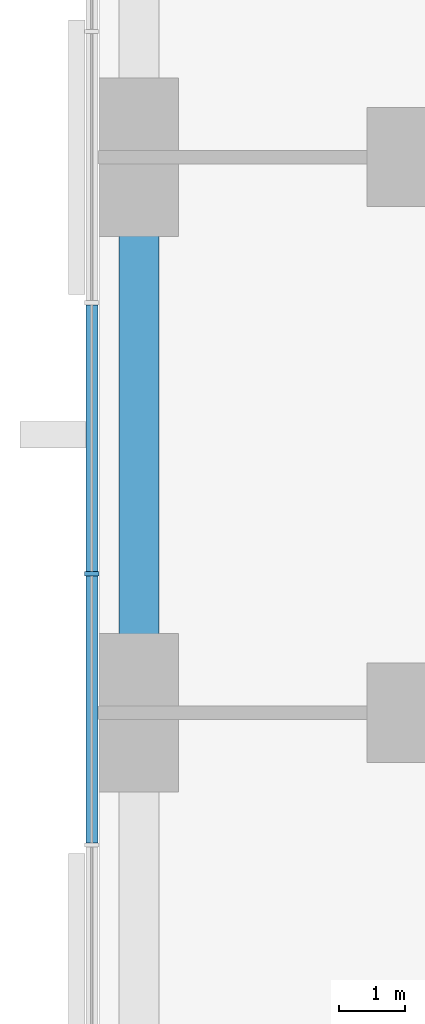
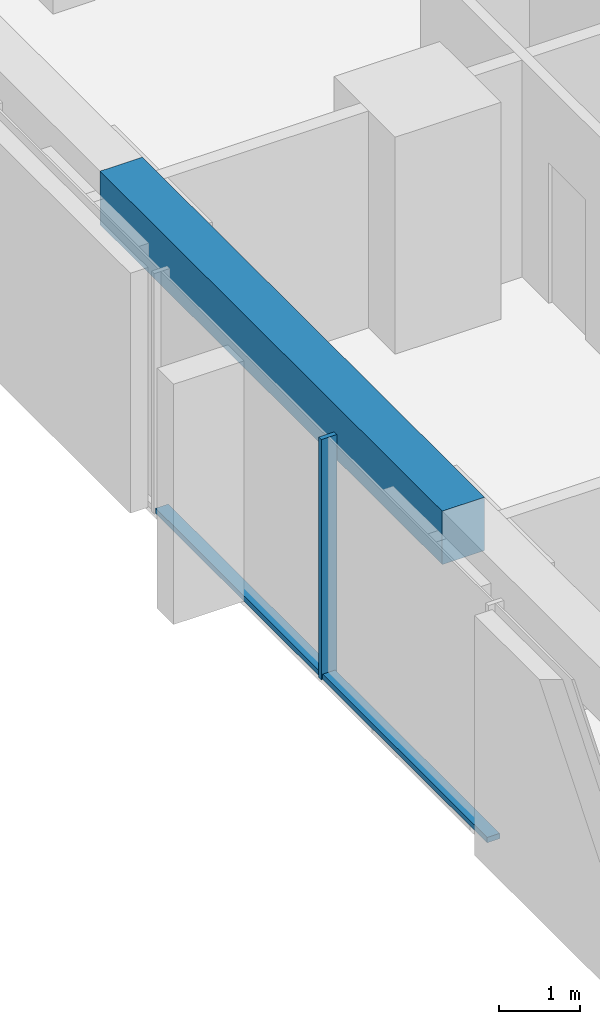
# One storey, part 3 of 14: 3 members, 1 beam, 1 element without a shape of its own.
"""IFC4 building model written with IfcOpenShell, lengths in metres."""

from ifc_helpers import new_model, si_unit, direction, frame, origin, origin_2d, place, context, subcontext, project, spatial, rectangle, extrude, material, material_profile, profile_set, type_object, element, aggregate, save


model = new_model("IFC4")

# Units and contexts
model_context = context("Model", 3, precision=1e-05, world=origin(), true_north=direction((0.0, 1.0)))
body_context = subcontext(model_context, "Body", "Model", "MODEL_VIEW")
ifc_project = project(units=[si_unit("LENGTHUNIT", "METRE"), si_unit("AREAUNIT", "SQUARE_METRE"), si_unit("VOLUMEUNIT", "CUBIC_METRE"), si_unit("PLANEANGLEUNIT", "RADIAN"), si_unit("MASSUNIT", "GRAM", prefix="KILO")], contexts=[model_context])

# Site, building, storey
site_placement = place(None, origin())
site = spatial("IfcSite", under=ifc_project, at=site_placement, CompositionType="ELEMENT")
building_placement = place(site_placement, origin())
building = spatial("IfcBuilding", under=site, at=building_placement, Name="Dunama Terrace Hotel", CompositionType="ELEMENT")
storey_placement = place(building_placement, frame((0.0, 0.0, 129.60009765625)))
storey = spatial("IfcBuildingStorey", under=building, at=storey_placement, Name="L33", CompositionType="ELEMENT", Elevation=129.60009765625)

# Curtain wall, members
ifc_material_1 = material(Name="Aluminium curtain wall system", Category="aluminium")
curtain_wall_type = type_object("IfcCurtainWallType", Name="Unitised fritted glass wall CW-B", PredefinedType="NOTDEFINED", material=ifc_material_1)
curtain_wall_placement = place(storey_placement, origin())
curtain_wall = element("IfcCurtainWall", 1, at=curtain_wall_placement, inside=storey, type_object=curtain_wall_type, Name="Unitised fritted glass wall CW-B L33", PredefinedType="NOTDEFINED")
ifc_material_2 = material(Name="Aluminium mullion", Category="aluminium")
ifc_material_profile_1 = material_profile(ifc_material_2, rectangle(XDim=0.06494140625, YDim=0.219970703125, at=origin_2d()), Name="CWB MULLION 65X220")
ifc_profile_set_1 = profile_set([ifc_material_profile_1], Name="Aluminium mullion")
member_type_1 = type_object("IfcMemberType", Name="CWB mullion 65x220", PredefinedType="MULLION", material=ifc_profile_set_1)
member_1_placement = place(storey_placement, frame((-0.110107421875, 27.300048828125, 0.0), z_axis=(0.0, 0.0, 1.0), x_axis=(0.0, -1.0, 0.0)))
member_1 = element("IfcMember", 2, at=member_1_placement, type_object=member_type_1, Name="CWB mullion", PredefinedType="MULLION", context=body_context, shape_type="SweptSolid", body=[
    extrude(rectangle(XDim=0.06494140625, YDim=0.219970703125, at=origin_2d()), origin(), (0.0, 0.0, 1.0), 3.599853515625),
])
ifc_material_3 = material(Name="Aluminium transom", Category="aluminium")
ifc_material_profile_2 = material_profile(ifc_material_3, rectangle(XDim=0.179931640625, YDim=0.080078125, at=origin_2d()), Name="CWB TRANSOM 180X80")
ifc_profile_set_2 = profile_set([ifc_material_profile_2], Name="Aluminium transom")
member_type_2 = type_object("IfcMemberType", Name="CWB transom 180x80", PredefinedType="USERDEFINED", material=ifc_profile_set_2)
member_2_placement = place(storey_placement, frame((-0.110107421875, 31.366943359375, 0.039794921875), z_axis=(0.0, -1.0, 0.0), x_axis=(1.0, 0.0, 0.0)))
member_2 = element("IfcMember", 3, at=member_2_placement, type_object=member_type_2, Name="CWB transom", ObjectType="TRANSOM", PredefinedType="USERDEFINED", context=body_context, shape_type="SweptSolid", body=[
    extrude(rectangle(XDim=0.179931640625, YDim=0.080078125, at=origin_2d()), origin(), (0.0, 0.0, 1.0), 4.034912109375),
])
member_3_placement = place(storey_placement, frame((-0.110107421875, 27.26806640625, 0.039794921875), z_axis=(0.0, -1.0, 0.0), x_axis=(1.0, 0.0, 0.0)))
member_3 = element("IfcMember", 4, at=member_3_placement, type_object=member_type_2, Name="CWB transom", ObjectType="TRANSOM", PredefinedType="USERDEFINED", context=body_context, shape_type="SweptSolid", body=[
    extrude(rectangle(XDim=0.179931640625, YDim=0.080078125, at=origin_2d()), origin(), (0.0, 0.0, 1.0), 4.03515625),
])
aggregate(curtain_wall, [member_1, member_2, member_3])

# Beam
ifc_material_4 = material(Name="Concrete C40/50", Category="concrete")
ifc_material_profile_3 = material_profile(ifc_material_4, rectangle(XDim=0.60009765625, YDim=0.800048828125, at=origin_2d()), Name="RC 600x800")
ifc_profile_set_3 = profile_set([ifc_material_profile_3], Name="Concrete C40/50")
beam_type = type_object("IfcBeamType", Name="Edge beam RC 600x800", PredefinedType="SPANDREL", material=ifc_profile_set_3)
beam_placement = place(storey_placement, frame((0.60009765625, 25.199951171875, 3.199951171875), z_axis=(0.0, 1.0, 0.0), x_axis=(-1.0, 0.0, 0.0)))
element("IfcBeam", 5, at=beam_placement, inside=storey, type_object=beam_type, Name="Edge beam under L34", PredefinedType="SPANDREL", context=body_context, shape_type="SweptSolid", body=[
    extrude(rectangle(XDim=0.60009765625, YDim=0.800048828125, at=origin_2d()), origin(), (0.0, 0.0, 1.0), 8.400146484375),
])

save(model, "model.ifc")
